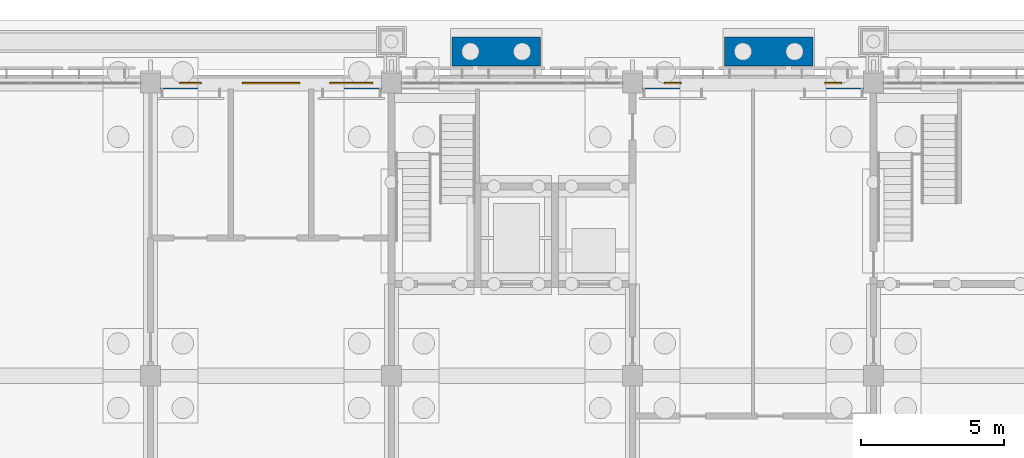
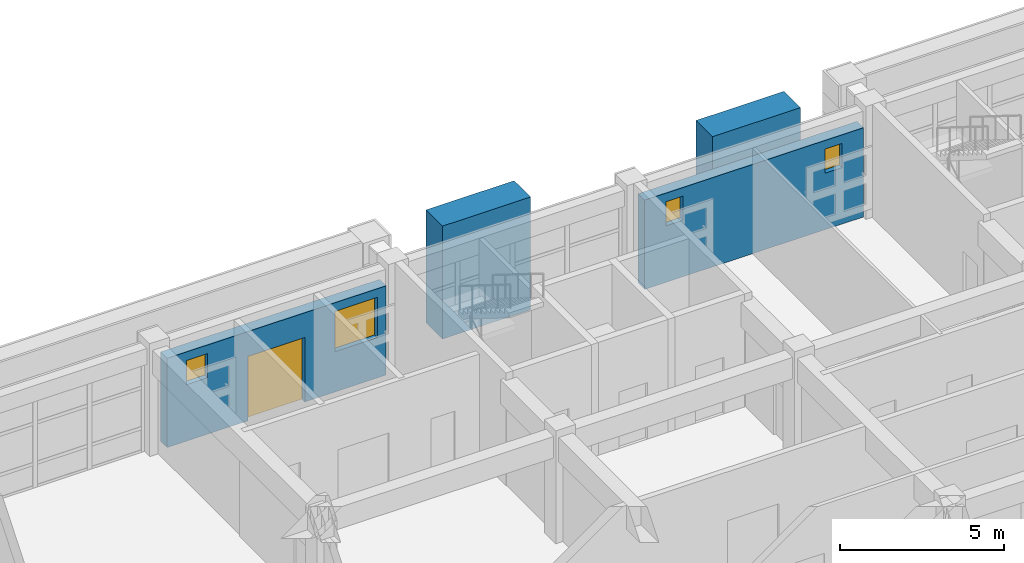
# One storey, part 74 of 112: 4 walls, 4 windows, 1 door, 5 openings.
"""IFC4 building model written with IfcOpenShell, lengths in metres."""

from ifc_helpers import new_model, si_unit, direction, frame, frame_2d, origin, place, context, subcontext, project, spatial, rectangle, extrude, material, layer, layer_set, type_object, element, fill, save


model = new_model("IFC4")

# Units and contexts
model_context = context("Model", 3, precision=1e-05, world=origin(), true_north=direction((0.0, 1.0)))
body_context = subcontext(model_context, "Body", "Model", "MODEL_VIEW")
ifc_project = project(units=[si_unit("LENGTHUNIT", "METRE"), si_unit("AREAUNIT", "SQUARE_METRE"), si_unit("VOLUMEUNIT", "CUBIC_METRE"), si_unit("PLANEANGLEUNIT", "RADIAN"), si_unit("MASSUNIT", "GRAM", prefix="KILO")], contexts=[model_context])

# Site, building, storey
site_placement = place(None, origin())
site = spatial("IfcSite", under=ifc_project, at=site_placement, CompositionType="ELEMENT")
building_placement = place(site_placement, origin())
building = spatial("IfcBuilding", under=site, at=building_placement, Name="Wasatch Bagh Community Centre", CompositionType="ELEMENT")
storey_placement = place(building_placement, origin())
storey = spatial("IfcBuildingStorey", under=building, at=storey_placement, Name="L00", CompositionType="ELEMENT", Elevation=0.0)

# Wall, openings, windows, door
ifc_material_1 = material(Name="Concrete C35", Category="concrete")
ifc_layer_1 = layer(ifc_material_1, 0.39990234375)
ifc_layer_set_1 = layer_set([ifc_layer_1], Name="Concrete C35")
wall_type_1 = type_object("IfcWallType", Name="LW facade wall 400", PredefinedType="SOLIDWALL", material=ifc_layer_set_1)
wall_1_placement = place(storey_placement, frame((97.949951171875, 97.800048828125, 0.0), z_axis=(0.0, 0.0, 1.0), x_axis=(1.0, 0.0, 0.0)))
wall_1 = element("IfcWall", 1, at=wall_1_placement, inside=storey, type_object=wall_type_1, Name="Facade wall", PredefinedType="SOLIDWALL", context=body_context, shape_type="SweptSolid", body=[
    extrude(rectangle(XDim=7.699951171875, YDim=0.39990234375, at=frame_2d((3.85009765625, 0.0))), origin(), (0.0, 0.0, 1.0), 3.320068359375),
])
opening_1_placement = place(wall_1_placement, frame((2.85009765625, 0.0, 0.0)))
opening_1 = element("IfcOpeningElement", 2, at=opening_1_placement, cuts=wall_1, Name="Opening 0L-05", PredefinedType="OPENING", context=body_context, shape_type="SweptSolid", body=[
    extrude(rectangle(XDim=2.0, YDim=2.39990234375, at=frame_2d((1.0, 1.199951171875))), frame((0.0, 0.2099609375, 0.0), z_axis=(0.0, -1.0, 0.0), x_axis=(1.0, 0.0, 0.0)), (0.0, 0.0, 1.0), 0.419921875),
])
opening_2_placement = place(wall_1_placement, frame((0.675048828125, 0.0, 2.10009765625)))
opening_2 = element("IfcOpeningElement", 3, at=opening_2_placement, cuts=wall_1, Name="Opening 0L-W011", PredefinedType="OPENING", context=body_context, shape_type="SweptSolid", body=[
    extrude(rectangle(XDim=0.75, YDim=0.89990234375, at=frame_2d((0.375, 0.449951171875))), frame((0.0, 0.2099609375, 0.0), z_axis=(0.0, -1.0, 0.0), x_axis=(1.0, 0.0, 0.0)), (0.0, 0.0, 1.0), 0.419921875),
])
opening_3_placement = place(wall_1_placement, frame((5.89990234375, 0.0, 1.5)))
opening_3 = element("IfcOpeningElement", 4, at=opening_3_placement, cuts=wall_1, Name="Opening 0L-W012", PredefinedType="OPENING", context=body_context, shape_type="SweptSolid", body=[
    extrude(rectangle(XDim=1.5, YDim=1.5, at=frame_2d((0.75, 0.75))), frame((0.0, 0.2099609375, 0.0), z_axis=(0.0, -1.0, 0.0), x_axis=(1.0, 0.0, 0.0)), (0.0, 0.0, 1.0), 0.419921875),
])
ifc_material_2 = material(Name="Aluminium framed double glazing", Category="aluminium")
window_type_1 = type_object("IfcWindowType", Name="LW accessible WC window 750x900", PartitioningType="SINGLE_PANEL", PredefinedType="WINDOW", material=ifc_material_2)
window_1_placement = place(opening_2_placement, origin())
window_1 = element("IfcWindow", 5, at=window_1_placement, inside=storey, type_object=window_type_1, Name="Window 0L-W011", OverallHeight=0.89990234375, OverallWidth=0.75, PartitioningType="SINGLE_PANEL", PredefinedType="WINDOW", context=body_context, shape_type="SweptSolid", body=[
    extrude(rectangle(XDim=0.75, YDim=0.89990234375, at=frame_2d((0.375, 0.449951171875))), frame((0.0, 0.030029296875, 0.0), z_axis=(0.0, -1.0, 0.0), x_axis=(1.0, 0.0, 0.0)), (0.0, 0.0, 1.0), 0.06005859375),
])
fill(opening_2, window_1)
ifc_material_3 = material(Name="Aluminium framed glazed door", Category="aluminium")
door_type = type_object("IfcDoorType", Name="LW entrance door pair 2000x2400", OperationType="DOUBLE_DOOR_SINGLE_SWING", PredefinedType="DOOR", material=ifc_material_3)
door_placement = place(opening_1_placement, origin())
door = element("IfcDoor", 6, at=door_placement, inside=storey, type_object=door_type, Name="Street entrance door 0L-05", OperationType="DOUBLE_DOOR_SINGLE_SWING", OverallHeight=2.39990234375, OverallWidth=2.0, PredefinedType="DOOR", context=body_context, shape_type="SweptSolid", body=[
    extrude(rectangle(XDim=2.0, YDim=2.39990234375, at=frame_2d((1.0, 1.199951171875))), frame((0.0, 0.02490234375, 0.0), z_axis=(0.0, -1.0, 0.0), x_axis=(1.0, 0.0, 0.0)), (0.0, 0.0, 1.0), 0.050048828125),
])
fill(opening_1, door)
window_type_2 = type_object("IfcWindowType", Name="LW reception window 1500x1500", PartitioningType="SINGLE_PANEL", PredefinedType="WINDOW", material=ifc_material_2)
window_2_placement = place(opening_3_placement, origin())
window_2 = element("IfcWindow", 7, at=window_2_placement, inside=storey, type_object=window_type_2, Name="Window 0L-W012", OverallHeight=1.5, OverallWidth=1.5, PartitioningType="SINGLE_PANEL", PredefinedType="WINDOW", context=body_context, shape_type="SweptSolid", body=[
    extrude(rectangle(XDim=1.5, YDim=1.5, at=frame_2d((0.75, 0.75))), frame((0.0, 0.030029296875, 0.0), z_axis=(0.0, -1.0, 0.0), x_axis=(1.0, 0.0, 0.0)), (0.0, 0.0, 1.0), 0.06005859375),
])
fill(opening_3, window_2)

# Wall, openings, windows
wall_2_placement = place(storey_placement, frame((114.75, 97.800048828125, 0.0), z_axis=(0.0, 0.0, 1.0), x_axis=(1.0, 0.0, 0.0)))
wall_2 = element("IfcWall", 8, at=wall_2_placement, inside=storey, type_object=wall_type_1, Name="Facade wall", PredefinedType="SOLIDWALL", context=body_context, shape_type="SweptSolid", body=[
    extrude(rectangle(XDim=7.699951171875, YDim=0.39990234375, at=frame_2d((3.85009765625, 0.0))), origin(), (0.0, 0.0, 1.0), 3.320068359375),
])
opening_4_placement = place(wall_2_placement, frame((0.75, 0.0, 2.10009765625)))
opening_4 = element("IfcOpeningElement", 9, at=opening_4_placement, cuts=wall_2, Name="Opening 0L-W013", PredefinedType="OPENING", context=body_context, shape_type="SweptSolid", body=[
    extrude(rectangle(XDim=0.60009765625, YDim=0.89990234375, at=frame_2d((0.300048828125, 0.449951171875))), frame((0.0, 0.2099609375, 0.0), z_axis=(0.0, -1.0, 0.0), x_axis=(1.0, 0.0, 0.0)), (0.0, 0.0, 1.0), 0.419921875),
])
opening_5_placement = place(wall_2_placement, frame((6.35009765625, 0.0, 2.10009765625)))
opening_5 = element("IfcOpeningElement", 10, at=opening_5_placement, cuts=wall_2, Name="Opening 0L-W014", PredefinedType="OPENING", context=body_context, shape_type="SweptSolid", body=[
    extrude(rectangle(XDim=0.60009765625, YDim=0.89990234375, at=frame_2d((0.300048828125, 0.449951171875))), frame((0.0, 0.2099609375, 0.0), z_axis=(0.0, -1.0, 0.0), x_axis=(1.0, 0.0, 0.0)), (0.0, 0.0, 1.0), 0.419921875),
])
window_type_3 = type_object("IfcWindowType", Name="LW WC window 600x900", PartitioningType="SINGLE_PANEL", PredefinedType="WINDOW", material=ifc_material_2)
window_3_placement = place(opening_4_placement, origin())
window_3 = element("IfcWindow", 11, at=window_3_placement, inside=storey, type_object=window_type_3, Name="Window 0L-W013", OverallHeight=0.89990234375, OverallWidth=0.60009765625, PartitioningType="SINGLE_PANEL", PredefinedType="WINDOW", context=body_context, shape_type="SweptSolid", body=[
    extrude(rectangle(XDim=0.60009765625, YDim=0.89990234375, at=frame_2d((0.300048828125, 0.449951171875))), frame((0.0, 0.030029296875, 0.0), z_axis=(0.0, -1.0, 0.0), x_axis=(1.0, 0.0, 0.0)), (0.0, 0.0, 1.0), 0.06005859375),
])
fill(opening_4, window_3)
window_4_placement = place(opening_5_placement, origin())
window_4 = element("IfcWindow", 12, at=window_4_placement, inside=storey, type_object=window_type_3, Name="Window 0L-W014", OverallHeight=0.89990234375, OverallWidth=0.60009765625, PartitioningType="SINGLE_PANEL", PredefinedType="WINDOW", context=body_context, shape_type="SweptSolid", body=[
    extrude(rectangle(XDim=0.60009765625, YDim=0.89990234375, at=frame_2d((0.300048828125, 0.449951171875))), frame((0.0, 0.030029296875, 0.0), z_axis=(0.0, -1.0, 0.0), x_axis=(1.0, 0.0, 0.0)), (0.0, 0.0, 1.0), 0.06005859375),
])
fill(opening_5, window_4)

# Walls
ifc_material_4 = material(Name="Concrete C40", Category="concrete")
ifc_layer_2 = layer(ifc_material_4, 1.0)
ifc_layer_set_2 = layer_set([ifc_layer_2], Name="Concrete C40")
wall_type_2 = type_object("IfcWallType", Name="LWPQ-W6", PredefinedType="STANDARD", material=ifc_layer_set_2)
for number, where, z_axis, x_axis, name in (
    (13, (108.10009765625, 98.89990234375, 0.0), (0.0, 0.0, 1.0), (1.0, 0.0, 0.0), "LWPQ-W6 iwan pier panel"),
    (14, (120.699951171875, 98.89990234375, 0.0), (0.0, 0.0, 1.0), (-1.0, 0.0, 0.0), "LWPQ-W6 iwan pier panel"),
):
    element("IfcWall", number, at=place(storey_placement, frame(where, z_axis=z_axis, x_axis=x_axis)), inside=storey, type_object=wall_type_2, Name=name, PredefinedType="STANDARD", context=body_context, shape_type="SweptSolid", body=[
        extrude(rectangle(XDim=3.099853515625, YDim=1.0, at=frame_2d((1.5498046875, 0.0))), origin(), (0.0, 0.0, 1.0), 4.199951171875),
    ])

save(model, "model.ifc")
